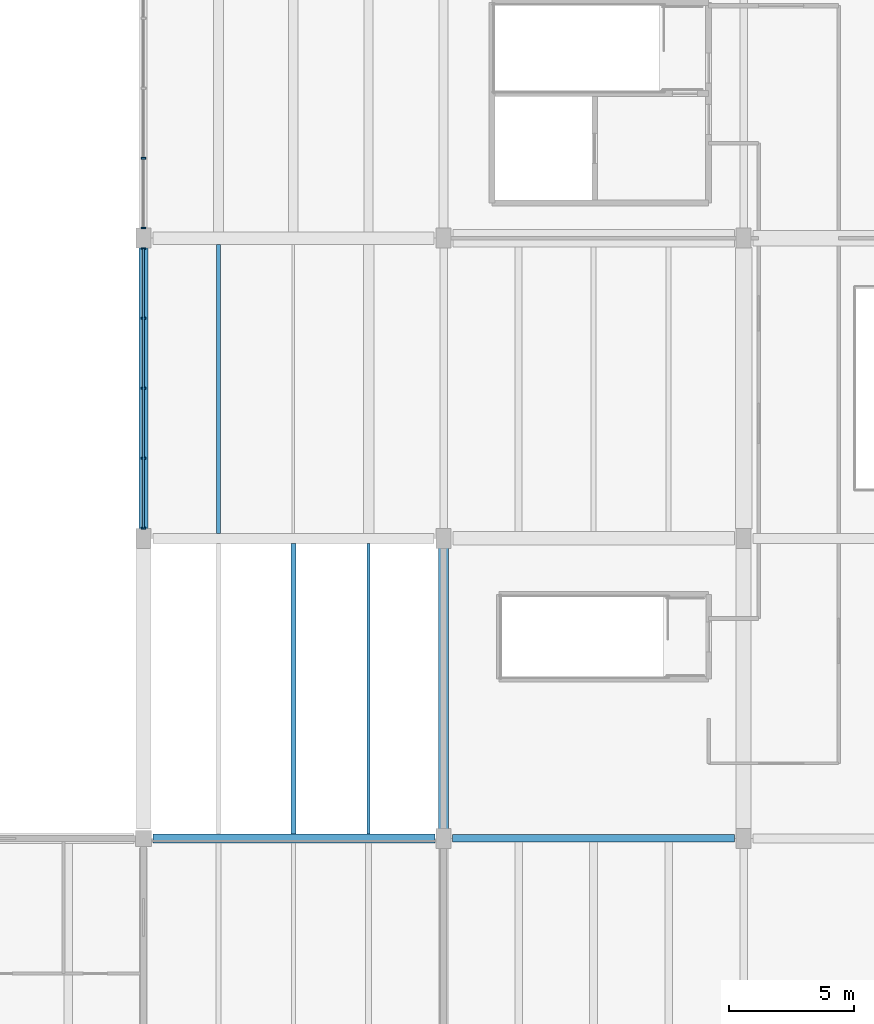
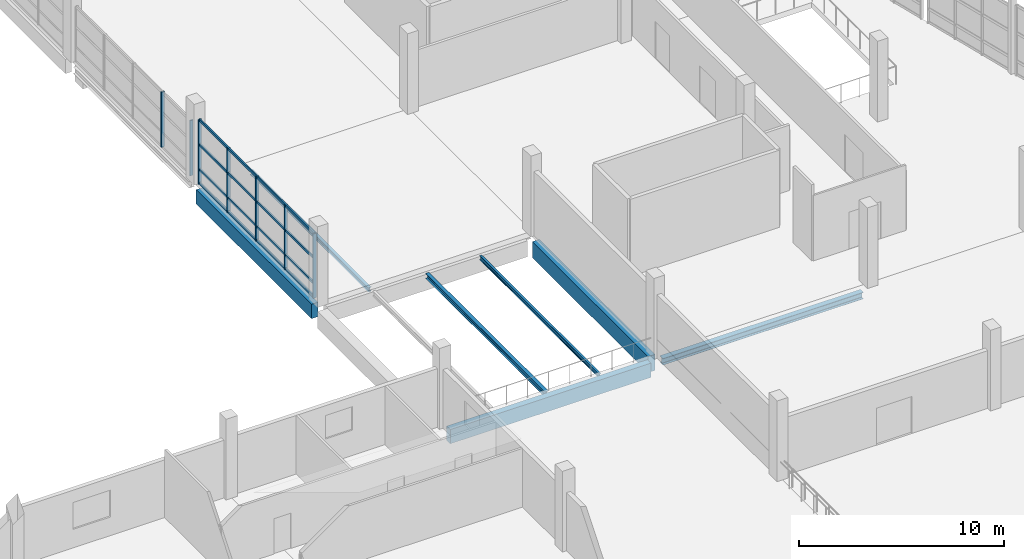
# One storey, part 18 of 49: 11 members, 7 beams, 2 elements without a shape of their own.
"""IFC4 building model written with IfcOpenShell, lengths in metres."""

from ifc_helpers import new_model, si_unit, direction, frame, origin, origin_2d, place, context, subcontext, project, spatial, rectangle, i_section, extrude, material, material_profile, profile_set, type_object, element, aggregate, save


model = new_model("IFC4")

# Units and contexts
model_context = context("Model", 3, precision=1e-05, world=origin(), true_north=direction((0.0, 1.0)))
body_context = subcontext(model_context, "Body", "Model", "MODEL_VIEW")
ifc_project = project(units=[si_unit("LENGTHUNIT", "METRE"), si_unit("AREAUNIT", "SQUARE_METRE"), si_unit("VOLUMEUNIT", "CUBIC_METRE"), si_unit("PLANEANGLEUNIT", "RADIAN"), si_unit("MASSUNIT", "GRAM", prefix="KILO")], contexts=[model_context])

# Site, building, storey
site_placement = place(None, origin())
site = spatial("IfcSite", under=ifc_project, at=site_placement, CompositionType="ELEMENT")
building_placement = place(site_placement, origin())
building = spatial("IfcBuilding", under=site, at=building_placement, Name="Kamomehara Wholesale Market", CompositionType="ELEMENT")
storey_placement = place(building_placement, frame((0.0, 0.0, 11.39990234375)))
storey = spatial("IfcBuildingStorey", under=building, at=storey_placement, Name="L02", CompositionType="ELEMENT", Elevation=11.39990234375)

# Beams
ifc_material_1 = material(Name="Precast concrete Fc45 (C40/50)", Category="concrete")
ifc_material_profile_1 = material_profile(ifc_material_1, rectangle(XDim=0.35009765625, YDim=0.85009765625, at=origin_2d()), Name="PC-SPN-350x850")
ifc_profile_set_1 = profile_set([ifc_material_profile_1], Name="Precast concrete Fc45 (C40/50)")
beam_type_1 = type_object("IfcBeamType", Name="BM-SPN850-EXT", PredefinedType="SPANDREL", material=ifc_profile_set_1)
beam_1_placement = place(storey_placement, frame((156.375, 48.0, -0.77197265625), z_axis=(1.0, 0.0, 0.0), x_axis=(0.0, 1.0, 0.0)))
element("IfcBeam", 1, at=beam_1_placement, inside=storey, type_object=beam_type_1, Name="Beam SPN-02E L02", PredefinedType="SPANDREL", context=body_context, shape_type="SweptSolid", body=[
    extrude(rectangle(XDim=0.35009765625, YDim=0.85009765625, at=origin_2d()), origin(), (0.0, 0.0, 1.0), 11.27490234375),
])
beam_2_placement = place(storey_placement, frame((156.0, 60.375, -0.746826171875), z_axis=(0.0, 1.0, 0.0), x_axis=(-1.0, 0.0, 0.0)))
element("IfcBeam", 2, at=beam_2_placement, inside=storey, type_object=beam_type_1, Name="Beam SPN-02E L02", PredefinedType="SPANDREL", context=body_context, shape_type="SweptSolid", body=[
    extrude(rectangle(XDim=0.35009765625, YDim=0.85009765625, at=origin_2d()), origin(), (0.0, 0.0, 1.0), 11.25),
])
ifc_material_2 = material(Name="Precast concrete Fc45 (C40/50)", Category="concrete")
ifc_material_profile_2 = material_profile(ifc_material_2, rectangle(XDim=0.39990234375, YDim=0.949951171875, at=origin_2d()), Name="PC-SPN-400x950")
ifc_profile_set_2 = profile_set([ifc_material_profile_2], Name="Precast concrete Fc45 (C40/50)")
beam_type_2 = type_object("IfcBeamType", Name="BM-SPN950-EXT", PredefinedType="SPANDREL", material=ifc_profile_set_2)
beam_3_placement = place(storey_placement, frame((168.0, 48.35009765625, -0.806884765625), z_axis=(0.0, 1.0, 0.0), x_axis=(-1.0, 0.0, 0.0)))
element("IfcBeam", 3, at=beam_3_placement, inside=storey, type_object=beam_type_2, Name="Beam SPN-01E L02", PredefinedType="SPANDREL", context=body_context, shape_type="SweptSolid", body=[
    extrude(rectangle(XDim=0.39990234375, YDim=0.949951171875, at=origin_2d()), origin(), (0.0, 0.0, 1.0), 11.27490234375),
])
ifc_material_3 = material(Name="Steel SN400B", Category="steel")
ifc_material_profile_3 = material_profile(ifc_material_3, i_section(OverallWidth=0.175048828125, OverallDepth=0.243896484375, WebThickness=0.007080078125, FlangeThickness=0.010986328125, FilletRadius=0.010986328125, at=origin_2d()), Name="H-244x175x7x11")
ifc_profile_set_3 = profile_set([ifc_material_profile_3], Name="Steel SN400B")
beam_type_3 = type_object("IfcBeamType", Name="BM-ST-H244", PredefinedType="JOIST", material=ifc_profile_set_3)
beam_4_placement = place(storey_placement, frame((159.0, 60.199951171875, -0.44384765625), z_axis=(0.0, 1.0, 0.0), x_axis=(-1.0, 0.0, 0.0)))
element("IfcBeam", 4, at=beam_4_placement, inside=storey, type_object=beam_type_3, Name="Beam SJ-10 L02", PredefinedType="JOIST", context=body_context, shape_type="SweptSolid", body=[
    extrude(i_section(OverallWidth=0.175048828125, OverallDepth=0.243896484375, WebThickness=0.007080078125, FlangeThickness=0.010986328125, FilletRadius=0.010986328125, at=origin_2d()), origin(), (0.0, 0.0, 1.0), 11.550048828125),
])
ifc_material_4 = material(Name="Steel SN400B", Category="steel")
ifc_material_profile_4 = material_profile(ifc_material_4, i_section(OverallWidth=0.125, OverallDepth=0.25, WebThickness=0.006103515625, FlangeThickness=0.009033203125, FilletRadius=0.008056640625, at=origin_2d()), Name="H-250x125x6x9")
ifc_profile_set_4 = profile_set([ifc_material_profile_4], Name="Steel SN400B")
beam_type_4 = type_object("IfcBeamType", Name="BM-ST-H250", PredefinedType="JOIST", material=ifc_profile_set_4)
beam_5_placement = place(storey_placement, frame((165.0, 48.175048828125, -0.385009765625), z_axis=(0.0, 1.0, 0.0), x_axis=(-1.0, 0.0, 0.0)))
element("IfcBeam", 5, at=beam_5_placement, inside=storey, type_object=beam_type_4, Name="Beam SJ-06 L02", PredefinedType="JOIST", context=body_context, shape_type="SweptSolid", body=[
    extrude(i_section(OverallWidth=0.125, OverallDepth=0.25, WebThickness=0.006103515625, FlangeThickness=0.009033203125, FilletRadius=0.008056640625, at=origin_2d()), origin(), (0.0, 0.0, 1.0), 11.625),
])
ifc_material_5 = material(Name="Steel SN400B", Category="steel")
ifc_material_profile_5 = material_profile(ifc_material_5, i_section(OverallWidth=0.199951171875, OverallDepth=0.2939453125, WebThickness=0.008056640625, FlangeThickness=0.011962890625, FilletRadius=0.012939453125, at=origin_2d()), Name="H-294x200x8x12")
ifc_profile_set_5 = profile_set([ifc_material_profile_5], Name="Steel SN400B")
beam_type_5 = type_object("IfcBeamType", Name="BM-ST-H294", PredefinedType="JOIST", material=ifc_profile_set_5)
beam_6_placement = place(storey_placement, frame((162.0, 48.175048828125, -0.406982421875), z_axis=(0.0, 1.0, 0.0), x_axis=(-1.0, 0.0, 0.0)))
element("IfcBeam", 6, at=beam_6_placement, inside=storey, type_object=beam_type_5, Name="Beam SJ-09 L02", PredefinedType="JOIST", context=body_context, shape_type="SweptSolid", body=[
    extrude(i_section(OverallWidth=0.199951171875, OverallDepth=0.2939453125, WebThickness=0.008056640625, FlangeThickness=0.011962890625, FilletRadius=0.012939453125, at=origin_2d()), origin(), (0.0, 0.0, 1.0), 11.625),
])
ifc_material_6 = material(Name="Steel SN490B", Category="steel")
ifc_material_profile_6 = material_profile(ifc_material_6, i_section(OverallWidth=0.300048828125, OverallDepth=0.389892578125, WebThickness=0.010009765625, FlangeThickness=0.01611328125, FilletRadius=0.01806640625, at=origin_2d()), Name="H-390x300x10x16")
ifc_profile_set_6 = profile_set([ifc_material_profile_6], Name="Steel SN490B")
beam_type_6 = type_object("IfcBeamType", Name="BM-ST-H390-EXT", PredefinedType="SPANDREL", material=ifc_profile_set_6)
beam_7_placement = place(storey_placement, frame((168.35009765625, 48.0, -0.536865234375), z_axis=(1.0, 0.0, 0.0), x_axis=(0.0, 1.0, 0.0)))
element("IfcBeam", 7, at=beam_7_placement, inside=storey, type_object=beam_type_6, Name="Beam SJ-03E L02", PredefinedType="SPANDREL", context=body_context, shape_type="SweptSolid", body=[
    extrude(i_section(OverallWidth=0.300048828125, OverallDepth=0.389892578125, WebThickness=0.010009765625, FlangeThickness=0.01611328125, FilletRadius=0.01806640625, at=origin_2d()), origin(), (0.0, 0.0, 1.0), 11.27490234375),
])

# Curtain wall, members
ifc_material_7 = material(Name="Anodised aluminium 6063-T5", Category="aluminium")
curtain_wall_type = type_object("IfcCurtainWallType", Name="CW-UN-01", PredefinedType="NOTDEFINED", material=ifc_material_7)
curtain_wall_1_placement = place(storey_placement, origin())
curtain_wall_1 = element("IfcCurtainWall", 8, at=curtain_wall_1_placement, inside=storey, type_object=curtain_wall_type, Name="Unitised curtain wall CW-208", PredefinedType="NOTDEFINED")
ifc_material_8 = material(Name="Anodised aluminium 6063-T5", Category="aluminium")
ifc_material_profile_7 = material_profile(ifc_material_8, rectangle(XDim=0.074951171875, YDim=0.179931640625, at=origin_2d()), Name="ALU-MUL-75x180")
ifc_profile_set_7 = profile_set([ifc_material_profile_7], Name="Anodised aluminium 6063-T5")
member_type_1 = type_object("IfcMemberType", Name="CW-MUL-180", PredefinedType="MULLION", material=ifc_profile_set_7)
member_1_placement = place(storey_placement, frame((156.0, 60.409912109375, 0.0), z_axis=(0.0, 0.0, 1.0), x_axis=(0.0, 1.0, 0.0)))
member_1 = element("IfcMember", 9, at=member_1_placement, type_object=member_type_1, Name="Mullion CW-208.0", PredefinedType="MULLION", context=body_context, shape_type="SweptSolid", body=[
    extrude(rectangle(XDim=0.074951171875, YDim=0.179931640625, at=origin_2d()), origin(), (0.0, 0.0, 1.0), 3.830078125),
])
member_2_placement = place(storey_placement, frame((156.0, 63.205078125, 0.0), z_axis=(0.0, 0.0, 1.0), x_axis=(0.0, 1.0, 0.0)))
member_2 = element("IfcMember", 10, at=member_2_placement, type_object=member_type_1, Name="Mullion CW-208.1", PredefinedType="MULLION", context=body_context, shape_type="SweptSolid", body=[
    extrude(rectangle(XDim=0.074951171875, YDim=0.179931640625, at=origin_2d()), origin(), (0.0, 0.0, 1.0), 3.830078125),
])
member_3_placement = place(storey_placement, frame((156.0, 66.0, 0.0), z_axis=(0.0, 0.0, 1.0), x_axis=(0.0, 1.0, 0.0)))
member_3 = element("IfcMember", 11, at=member_3_placement, type_object=member_type_1, Name="Mullion CW-208.2", PredefinedType="MULLION", context=body_context, shape_type="SweptSolid", body=[
    extrude(rectangle(XDim=0.074951171875, YDim=0.179931640625, at=origin_2d()), origin(), (0.0, 0.0, 1.0), 3.830078125),
])
member_4_placement = place(storey_placement, frame((156.0, 68.794921875, 0.0), z_axis=(0.0, 0.0, 1.0), x_axis=(0.0, 1.0, 0.0)))
member_4 = element("IfcMember", 12, at=member_4_placement, type_object=member_type_1, Name="Mullion CW-208.3", PredefinedType="MULLION", context=body_context, shape_type="SweptSolid", body=[
    extrude(rectangle(XDim=0.074951171875, YDim=0.179931640625, at=origin_2d()), origin(), (0.0, 0.0, 1.0), 3.830078125),
])
member_5_placement = place(storey_placement, frame((156.0, 71.590087890625, 0.0), z_axis=(0.0, 0.0, 1.0), x_axis=(0.0, 1.0, 0.0)))
member_5 = element("IfcMember", 13, at=member_5_placement, type_object=member_type_1, Name="Mullion CW-208.4", PredefinedType="MULLION", context=body_context, shape_type="SweptSolid", body=[
    extrude(rectangle(XDim=0.074951171875, YDim=0.179931640625, at=origin_2d()), origin(), (0.0, 0.0, 1.0), 3.830078125),
])

curtain_wall_2_placement = place(storey_placement, origin())
curtain_wall_2 = element("IfcCurtainWall", 14, at=curtain_wall_2_placement, inside=storey, type_object=curtain_wall_type, Name="Unitised curtain wall CW-209", PredefinedType="NOTDEFINED")
member_6_placement = place(storey_placement, frame((156.0, 72.409912109375, 0.0), z_axis=(0.0, 0.0, 1.0), x_axis=(0.0, 1.0, 0.0)))
member_6 = element("IfcMember", 15, at=member_6_placement, type_object=member_type_1, Name="Mullion CW-209.0", PredefinedType="MULLION", context=body_context, shape_type="SweptSolid", body=[
    extrude(rectangle(XDim=0.074951171875, YDim=0.179931640625, at=origin_2d()), origin(), (0.0, 0.0, 1.0), 3.280029296875),
])
member_7_placement = place(storey_placement, frame((156.0, 75.205078125, 0.0), z_axis=(0.0, 0.0, 1.0), x_axis=(0.0, 1.0, 0.0)))
member_7 = element("IfcMember", 16, at=member_7_placement, type_object=member_type_1, Name="Mullion CW-209.1", PredefinedType="MULLION", context=body_context, shape_type="SweptSolid", body=[
    extrude(rectangle(XDim=0.074951171875, YDim=0.179931640625, at=origin_2d()), origin(), (0.0, 0.0, 1.0), 3.280029296875),
])
aggregate(curtain_wall_2, [member_6, member_7])

# Member
ifc_material_9 = material(Name="Anodised aluminium 6063-T5", Category="aluminium")
ifc_material_profile_8 = material_profile(ifc_material_9, rectangle(XDim=0.074951171875, YDim=0.14990234375, at=origin_2d()), Name="ALU-TRN-75x150")
ifc_profile_set_8 = profile_set([ifc_material_profile_8], Name="Anodised aluminium 6063-T5")
member_type_2 = type_object("IfcMemberType", Name="CW-TRN-150", PredefinedType="USERDEFINED", material=ifc_profile_set_8)
member_8_placement = place(storey_placement, frame((156.0, 60.409912109375, 0.0400390625), z_axis=(0.0, 1.0, 0.0), x_axis=(-1.0, 0.0, 0.0)))
member_8 = element("IfcMember", 17, at=member_8_placement, type_object=member_type_2, Name="Transom CW-208.0", ObjectType="TRANSOM", PredefinedType="USERDEFINED", context=body_context, shape_type="SweptSolid", body=[
    extrude(rectangle(XDim=0.074951171875, YDim=0.14990234375, at=origin_2d()), origin(), (0.0, 0.0, 1.0), 11.18017578125),
])

member_9_placement = place(storey_placement, frame((156.0, 60.409912109375, 0.85009765625), z_axis=(0.0, 1.0, 0.0), x_axis=(-1.0, 0.0, 0.0)))
member_9 = element("IfcMember", 18, at=member_9_placement, type_object=member_type_2, Name="Transom CW-208.1", ObjectType="TRANSOM", PredefinedType="USERDEFINED", context=body_context, shape_type="SweptSolid", body=[
    extrude(rectangle(XDim=0.074951171875, YDim=0.14990234375, at=origin_2d()), origin(), (0.0, 0.0, 1.0), 11.18017578125),
])

member_10_placement = place(storey_placement, frame((156.0, 60.409912109375, 2.340087890625), z_axis=(0.0, 1.0, 0.0), x_axis=(-1.0, 0.0, 0.0)))
member_10 = element("IfcMember", 19, at=member_10_placement, type_object=member_type_2, Name="Transom CW-208.2", ObjectType="TRANSOM", PredefinedType="USERDEFINED", context=body_context, shape_type="SweptSolid", body=[
    extrude(rectangle(XDim=0.074951171875, YDim=0.14990234375, at=origin_2d()), origin(), (0.0, 0.0, 1.0), 11.18017578125),
])

member_11_placement = place(storey_placement, frame((156.0, 60.409912109375, 3.7900390625), z_axis=(0.0, 1.0, 0.0), x_axis=(-1.0, 0.0, 0.0)))
member_11 = element("IfcMember", 20, at=member_11_placement, type_object=member_type_2, Name="Transom CW-208.3", ObjectType="TRANSOM", PredefinedType="USERDEFINED", context=body_context, shape_type="SweptSolid", body=[
    extrude(rectangle(XDim=0.074951171875, YDim=0.14990234375, at=origin_2d()), origin(), (0.0, 0.0, 1.0), 11.18017578125),
])

aggregate(curtain_wall_1, [member_1, member_2, member_3, member_4, member_5, member_8, member_9, member_10, member_11])

save(model, "model.ifc")
